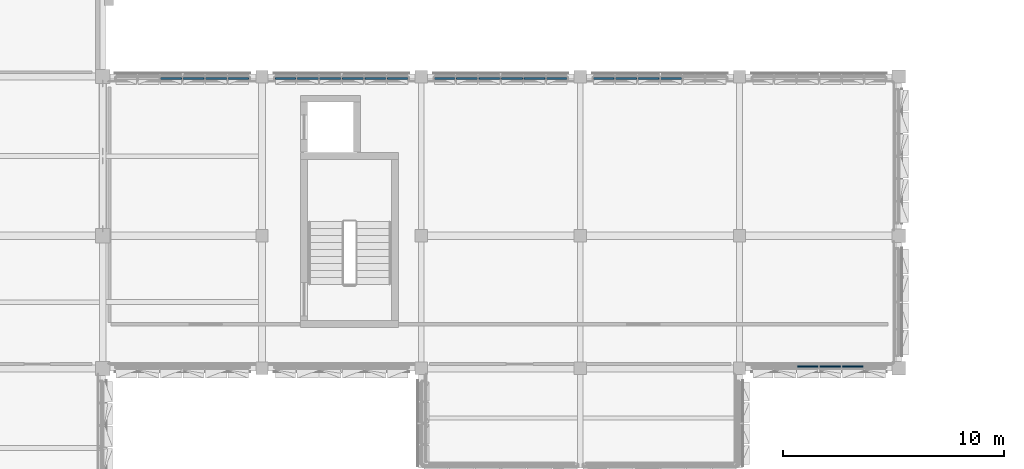
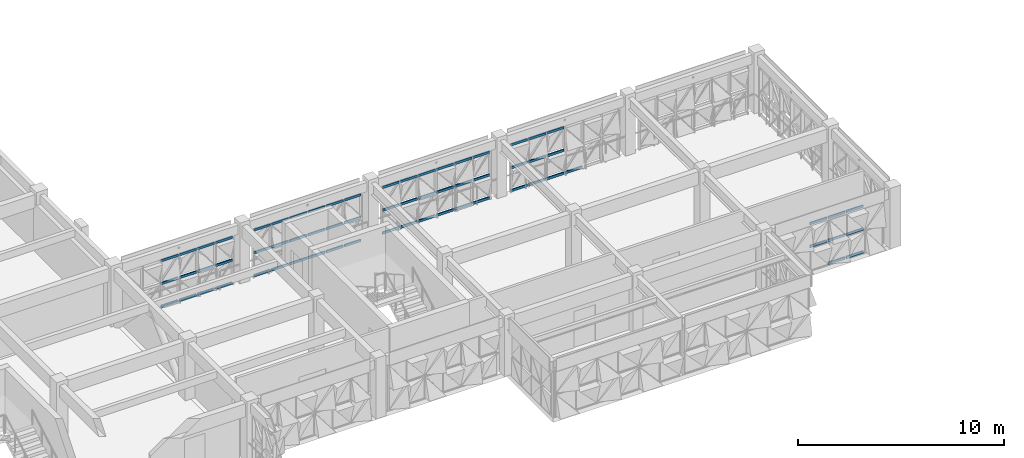
# One storey, part 26 of 85: 66 members, 5 elements without a shape of their own.
"""IFC4 building model written with IfcOpenShell, lengths in metres."""

from ifc_helpers import new_model, si_unit, direction, frame, origin, origin_2d, place, context, subcontext, project, spatial, rectangle, extrude, material, material_profile, profile_set, type_object, element, aggregate, save


model = new_model("IFC4")

# Units and contexts
model_context = context("Model", 3, precision=1e-05, world=origin(), true_north=direction((0.0, 1.0)))
body_context = subcontext(model_context, "Body", "Model", "MODEL_VIEW")
ifc_project = project(units=[si_unit("LENGTHUNIT", "METRE"), si_unit("AREAUNIT", "SQUARE_METRE"), si_unit("VOLUMEUNIT", "CUBIC_METRE"), si_unit("PLANEANGLEUNIT", "RADIAN"), si_unit("MASSUNIT", "GRAM", prefix="KILO")], contexts=[model_context])

# Site, building, storey
site_placement = place(None, origin())
site = spatial("IfcSite", under=ifc_project, at=site_placement, CompositionType="ELEMENT")
building_placement = place(site_placement, origin())
building = spatial("IfcBuilding", under=site, at=building_placement, Name="Alvorim Cloister Faculty of Sciences", CompositionType="ELEMENT")
storey_placement = place(building_placement, frame((0.0, 0.0, 8.550048828125)))
storey = spatial("IfcBuildingStorey", under=building, at=storey_placement, Name="L02", CompositionType="ELEMENT", Elevation=8.550048828125)

# Curtain wall, members
ifc_material_1 = material(Name="Aluminium and Low-E Glass Curtain Wall", Category="aluminium")
curtain_wall_type = type_object("IfcCurtainWallType", Name="CW-TRI-6120x2850", PredefinedType="USERDEFINED", material=ifc_material_1)
curtain_wall_1_placement = place(storey_placement, origin())
curtain_wall_1 = element("IfcCurtainWall", 1, at=curtain_wall_1_placement, inside=storey, type_object=curtain_wall_type, Name="L02 Diagonal Cassette Curtain Wall CW-0056", ObjectType="UNITISED CURTAIN WALL", PredefinedType="USERDEFINED")
ifc_material_2 = material(Name="Aluminium Alloy 6063-T6", Category="aluminium")
ifc_material_profile = material_profile(ifc_material_2, rectangle(XDim=0.06494140625, YDim=0.139892578125, at=origin_2d()), Name="ALU-TRN-65x140")
ifc_profile_set = profile_set([ifc_material_profile], Name="Aluminium Alloy 6063-T6")
member_type = type_object("IfcMemberType", Name="CW-TRN-65x140", PredefinedType="USERDEFINED", material=ifc_profile_set)
member_1_placement = place(storey_placement, frame((31.41259765625, 56.31005859375, 0.070068359375), z_axis=(1.0, 0.0, 0.0), x_axis=(0.0, 1.0, 0.0)))
member_1 = element("IfcMember", 2, at=member_1_placement, type_object=member_type, Name="CW-0056 Transom 3.1", ObjectType="TRANSOM", PredefinedType="USERDEFINED", context=body_context, shape_type="SweptSolid", body=[
    extrude(rectangle(XDim=0.06494140625, YDim=0.139892578125, at=origin_2d()), origin(), (0.0, 0.0, 1.0), 0.954833984375),
])
member_2_placement = place(storey_placement, frame((31.41259765625, 56.31005859375, 1.425048828125), z_axis=(1.0, 0.0, 0.0), x_axis=(0.0, 1.0, 0.0)))
member_2 = element("IfcMember", 3, at=member_2_placement, type_object=member_type, Name="CW-0056 Transom 3.2", ObjectType="TRANSOM", PredefinedType="USERDEFINED", context=body_context, shape_type="SweptSolid", body=[
    extrude(rectangle(XDim=0.06494140625, YDim=0.139892578125, at=origin_2d()), origin(), (0.0, 0.0, 1.0), 0.954833984375),
])
member_3_placement = place(storey_placement, frame((31.41259765625, 56.31005859375, 2.780029296875), z_axis=(1.0, 0.0, 0.0), x_axis=(0.0, 1.0, 0.0)))
member_3 = element("IfcMember", 4, at=member_3_placement, type_object=member_type, Name="CW-0056 Transom 3.3", ObjectType="TRANSOM", PredefinedType="USERDEFINED", context=body_context, shape_type="SweptSolid", body=[
    extrude(rectangle(XDim=0.06494140625, YDim=0.139892578125, at=origin_2d()), origin(), (0.0, 0.0, 1.0), 0.954833984375),
])
member_4_placement = place(storey_placement, frame((32.4326171875, 56.31005859375, 0.070068359375), z_axis=(1.0, 0.0, 0.0), x_axis=(0.0, 1.0, 0.0)))
member_4 = element("IfcMember", 5, at=member_4_placement, type_object=member_type, Name="CW-0056 Transom 4.1", ObjectType="TRANSOM", PredefinedType="USERDEFINED", context=body_context, shape_type="SweptSolid", body=[
    extrude(rectangle(XDim=0.06494140625, YDim=0.139892578125, at=origin_2d()), origin(), (0.0, 0.0, 1.0), 0.954833984375),
])
member_5_placement = place(storey_placement, frame((32.4326171875, 56.31005859375, 1.425048828125), z_axis=(1.0, 0.0, 0.0), x_axis=(0.0, 1.0, 0.0)))
member_5 = element("IfcMember", 6, at=member_5_placement, type_object=member_type, Name="CW-0056 Transom 4.2", ObjectType="TRANSOM", PredefinedType="USERDEFINED", context=body_context, shape_type="SweptSolid", body=[
    extrude(rectangle(XDim=0.06494140625, YDim=0.139892578125, at=origin_2d()), origin(), (0.0, 0.0, 1.0), 0.954833984375),
])
member_6_placement = place(storey_placement, frame((32.4326171875, 56.31005859375, 2.780029296875), z_axis=(1.0, 0.0, 0.0), x_axis=(0.0, 1.0, 0.0)))
member_6 = element("IfcMember", 7, at=member_6_placement, type_object=member_type, Name="CW-0056 Transom 4.3", ObjectType="TRANSOM", PredefinedType="USERDEFINED", context=body_context, shape_type="SweptSolid", body=[
    extrude(rectangle(XDim=0.06494140625, YDim=0.139892578125, at=origin_2d()), origin(), (0.0, 0.0, 1.0), 0.954833984375),
])
member_7_placement = place(storey_placement, frame((33.452392578125, 56.31005859375, 0.070068359375), z_axis=(1.0, 0.0, 0.0), x_axis=(0.0, 1.0, 0.0)))
member_7 = element("IfcMember", 8, at=member_7_placement, type_object=member_type, Name="CW-0056 Transom 5.1", ObjectType="TRANSOM", PredefinedType="USERDEFINED", context=body_context, shape_type="SweptSolid", body=[
    extrude(rectangle(XDim=0.06494140625, YDim=0.139892578125, at=origin_2d()), origin(), (0.0, 0.0, 1.0), 0.955078125),
])
member_8_placement = place(storey_placement, frame((33.452392578125, 56.31005859375, 1.425048828125), z_axis=(1.0, 0.0, 0.0), x_axis=(0.0, 1.0, 0.0)))
member_8 = element("IfcMember", 9, at=member_8_placement, type_object=member_type, Name="CW-0056 Transom 5.2", ObjectType="TRANSOM", PredefinedType="USERDEFINED", context=body_context, shape_type="SweptSolid", body=[
    extrude(rectangle(XDim=0.06494140625, YDim=0.139892578125, at=origin_2d()), origin(), (0.0, 0.0, 1.0), 0.955078125),
])
member_9_placement = place(storey_placement, frame((33.452392578125, 56.31005859375, 2.780029296875), z_axis=(1.0, 0.0, 0.0), x_axis=(0.0, 1.0, 0.0)))
member_9 = element("IfcMember", 10, at=member_9_placement, type_object=member_type, Name="CW-0056 Transom 5.3", ObjectType="TRANSOM", PredefinedType="USERDEFINED", context=body_context, shape_type="SweptSolid", body=[
    extrude(rectangle(XDim=0.06494140625, YDim=0.139892578125, at=origin_2d()), origin(), (0.0, 0.0, 1.0), 0.955078125),
])
member_10_placement = place(storey_placement, frame((34.472412109375, 56.31005859375, 0.070068359375), z_axis=(1.0, 0.0, 0.0), x_axis=(0.0, 1.0, 0.0)))
member_10 = element("IfcMember", 11, at=member_10_placement, type_object=member_type, Name="CW-0056 Transom 6.1", ObjectType="TRANSOM", PredefinedType="USERDEFINED", context=body_context, shape_type="SweptSolid", body=[
    extrude(rectangle(XDim=0.06494140625, YDim=0.139892578125, at=origin_2d()), origin(), (0.0, 0.0, 1.0), 0.922607421875),
])
member_11_placement = place(storey_placement, frame((34.472412109375, 56.31005859375, 1.425048828125), z_axis=(1.0, 0.0, 0.0), x_axis=(0.0, 1.0, 0.0)))
member_11 = element("IfcMember", 12, at=member_11_placement, type_object=member_type, Name="CW-0056 Transom 6.2", ObjectType="TRANSOM", PredefinedType="USERDEFINED", context=body_context, shape_type="SweptSolid", body=[
    extrude(rectangle(XDim=0.06494140625, YDim=0.139892578125, at=origin_2d()), origin(), (0.0, 0.0, 1.0), 0.922607421875),
])
member_12_placement = place(storey_placement, frame((34.472412109375, 56.31005859375, 2.780029296875), z_axis=(1.0, 0.0, 0.0), x_axis=(0.0, 1.0, 0.0)))
member_12 = element("IfcMember", 13, at=member_12_placement, type_object=member_type, Name="CW-0056 Transom 6.3", ObjectType="TRANSOM", PredefinedType="USERDEFINED", context=body_context, shape_type="SweptSolid", body=[
    extrude(rectangle(XDim=0.06494140625, YDim=0.139892578125, at=origin_2d()), origin(), (0.0, 0.0, 1.0), 0.922607421875),
])
aggregate(curtain_wall_1, [member_1, member_2, member_3, member_4, member_5, member_6, member_7, member_8, member_9, member_10, member_11, member_12])

curtain_wall_2_placement = place(storey_placement, origin())
curtain_wall_2 = element("IfcCurtainWall", 14, at=curtain_wall_2_placement, inside=storey, type_object=curtain_wall_type, Name="L02 Diagonal Cassette Curtain Wall CW-0057", ObjectType="UNITISED CURTAIN WALL", PredefinedType="USERDEFINED")
member_13_placement = place(storey_placement, frame((36.60498046875, 56.31005859375, 0.070068359375), z_axis=(1.0, 0.0, 0.0), x_axis=(0.0, 1.0, 0.0)))
member_13 = element("IfcMember", 15, at=member_13_placement, type_object=member_type, Name="CW-0057 Transom 1.1", ObjectType="TRANSOM", PredefinedType="USERDEFINED", context=body_context, shape_type="SweptSolid", body=[
    extrude(rectangle(XDim=0.06494140625, YDim=0.139892578125, at=origin_2d()), origin(), (0.0, 0.0, 1.0), 0.922607421875),
])
member_14_placement = place(storey_placement, frame((36.60498046875, 56.31005859375, 1.425048828125), z_axis=(1.0, 0.0, 0.0), x_axis=(0.0, 1.0, 0.0)))
member_14 = element("IfcMember", 16, at=member_14_placement, type_object=member_type, Name="CW-0057 Transom 1.2", ObjectType="TRANSOM", PredefinedType="USERDEFINED", context=body_context, shape_type="SweptSolid", body=[
    extrude(rectangle(XDim=0.06494140625, YDim=0.139892578125, at=origin_2d()), origin(), (0.0, 0.0, 1.0), 0.922607421875),
])
member_15_placement = place(storey_placement, frame((36.60498046875, 56.31005859375, 2.780029296875), z_axis=(1.0, 0.0, 0.0), x_axis=(0.0, 1.0, 0.0)))
member_15 = element("IfcMember", 17, at=member_15_placement, type_object=member_type, Name="CW-0057 Transom 1.3", ObjectType="TRANSOM", PredefinedType="USERDEFINED", context=body_context, shape_type="SweptSolid", body=[
    extrude(rectangle(XDim=0.06494140625, YDim=0.139892578125, at=origin_2d()), origin(), (0.0, 0.0, 1.0), 0.922607421875),
])
member_16_placement = place(storey_placement, frame((37.592529296875, 56.31005859375, 0.070068359375), z_axis=(1.0, 0.0, 0.0), x_axis=(0.0, 1.0, 0.0)))
member_16 = element("IfcMember", 18, at=member_16_placement, type_object=member_type, Name="CW-0057 Transom 2.1", ObjectType="TRANSOM", PredefinedType="USERDEFINED", context=body_context, shape_type="SweptSolid", body=[
    extrude(rectangle(XDim=0.06494140625, YDim=0.139892578125, at=origin_2d()), origin(), (0.0, 0.0, 1.0), 0.955078125),
])
member_17_placement = place(storey_placement, frame((37.592529296875, 56.31005859375, 1.425048828125), z_axis=(1.0, 0.0, 0.0), x_axis=(0.0, 1.0, 0.0)))
member_17 = element("IfcMember", 19, at=member_17_placement, type_object=member_type, Name="CW-0057 Transom 2.2", ObjectType="TRANSOM", PredefinedType="USERDEFINED", context=body_context, shape_type="SweptSolid", body=[
    extrude(rectangle(XDim=0.06494140625, YDim=0.139892578125, at=origin_2d()), origin(), (0.0, 0.0, 1.0), 0.955078125),
])
member_18_placement = place(storey_placement, frame((37.592529296875, 56.31005859375, 2.780029296875), z_axis=(1.0, 0.0, 0.0), x_axis=(0.0, 1.0, 0.0)))
member_18 = element("IfcMember", 20, at=member_18_placement, type_object=member_type, Name="CW-0057 Transom 2.3", ObjectType="TRANSOM", PredefinedType="USERDEFINED", context=body_context, shape_type="SweptSolid", body=[
    extrude(rectangle(XDim=0.06494140625, YDim=0.139892578125, at=origin_2d()), origin(), (0.0, 0.0, 1.0), 0.955078125),
])
member_19_placement = place(storey_placement, frame((38.612548828125, 56.31005859375, 0.070068359375), z_axis=(1.0, 0.0, 0.0), x_axis=(0.0, 1.0, 0.0)))
member_19 = element("IfcMember", 21, at=member_19_placement, type_object=member_type, Name="CW-0057 Transom 3.1", ObjectType="TRANSOM", PredefinedType="USERDEFINED", context=body_context, shape_type="SweptSolid", body=[
    extrude(rectangle(XDim=0.06494140625, YDim=0.139892578125, at=origin_2d()), origin(), (0.0, 0.0, 1.0), 0.954833984375),
])
member_20_placement = place(storey_placement, frame((38.612548828125, 56.31005859375, 1.425048828125), z_axis=(1.0, 0.0, 0.0), x_axis=(0.0, 1.0, 0.0)))
member_20 = element("IfcMember", 22, at=member_20_placement, type_object=member_type, Name="CW-0057 Transom 3.2", ObjectType="TRANSOM", PredefinedType="USERDEFINED", context=body_context, shape_type="SweptSolid", body=[
    extrude(rectangle(XDim=0.06494140625, YDim=0.139892578125, at=origin_2d()), origin(), (0.0, 0.0, 1.0), 0.954833984375),
])
member_21_placement = place(storey_placement, frame((38.612548828125, 56.31005859375, 2.780029296875), z_axis=(1.0, 0.0, 0.0), x_axis=(0.0, 1.0, 0.0)))
member_21 = element("IfcMember", 23, at=member_21_placement, type_object=member_type, Name="CW-0057 Transom 3.3", ObjectType="TRANSOM", PredefinedType="USERDEFINED", context=body_context, shape_type="SweptSolid", body=[
    extrude(rectangle(XDim=0.06494140625, YDim=0.139892578125, at=origin_2d()), origin(), (0.0, 0.0, 1.0), 0.954833984375),
])
member_22_placement = place(storey_placement, frame((39.632568359375, 56.31005859375, 0.070068359375), z_axis=(1.0, 0.0, 0.0), x_axis=(0.0, 1.0, 0.0)))
member_22 = element("IfcMember", 24, at=member_22_placement, type_object=member_type, Name="CW-0057 Transom 4.1", ObjectType="TRANSOM", PredefinedType="USERDEFINED", context=body_context, shape_type="SweptSolid", body=[
    extrude(rectangle(XDim=0.06494140625, YDim=0.139892578125, at=origin_2d()), origin(), (0.0, 0.0, 1.0), 0.954833984375),
])
member_23_placement = place(storey_placement, frame((39.632568359375, 56.31005859375, 1.425048828125), z_axis=(1.0, 0.0, 0.0), x_axis=(0.0, 1.0, 0.0)))
member_23 = element("IfcMember", 25, at=member_23_placement, type_object=member_type, Name="CW-0057 Transom 4.2", ObjectType="TRANSOM", PredefinedType="USERDEFINED", context=body_context, shape_type="SweptSolid", body=[
    extrude(rectangle(XDim=0.06494140625, YDim=0.139892578125, at=origin_2d()), origin(), (0.0, 0.0, 1.0), 0.954833984375),
])
member_24_placement = place(storey_placement, frame((39.632568359375, 56.31005859375, 2.780029296875), z_axis=(1.0, 0.0, 0.0), x_axis=(0.0, 1.0, 0.0)))
member_24 = element("IfcMember", 26, at=member_24_placement, type_object=member_type, Name="CW-0057 Transom 4.3", ObjectType="TRANSOM", PredefinedType="USERDEFINED", context=body_context, shape_type="SweptSolid", body=[
    extrude(rectangle(XDim=0.06494140625, YDim=0.139892578125, at=origin_2d()), origin(), (0.0, 0.0, 1.0), 0.954833984375),
])
member_25_placement = place(storey_placement, frame((40.652587890625, 56.31005859375, 0.070068359375), z_axis=(1.0, 0.0, 0.0), x_axis=(0.0, 1.0, 0.0)))
member_25 = element("IfcMember", 27, at=member_25_placement, type_object=member_type, Name="CW-0057 Transom 5.1", ObjectType="TRANSOM", PredefinedType="USERDEFINED", context=body_context, shape_type="SweptSolid", body=[
    extrude(rectangle(XDim=0.06494140625, YDim=0.139892578125, at=origin_2d()), origin(), (0.0, 0.0, 1.0), 0.954833984375),
])
member_26_placement = place(storey_placement, frame((40.652587890625, 56.31005859375, 1.425048828125), z_axis=(1.0, 0.0, 0.0), x_axis=(0.0, 1.0, 0.0)))
member_26 = element("IfcMember", 28, at=member_26_placement, type_object=member_type, Name="CW-0057 Transom 5.2", ObjectType="TRANSOM", PredefinedType="USERDEFINED", context=body_context, shape_type="SweptSolid", body=[
    extrude(rectangle(XDim=0.06494140625, YDim=0.139892578125, at=origin_2d()), origin(), (0.0, 0.0, 1.0), 0.954833984375),
])
member_27_placement = place(storey_placement, frame((40.652587890625, 56.31005859375, 2.780029296875), z_axis=(1.0, 0.0, 0.0), x_axis=(0.0, 1.0, 0.0)))
member_27 = element("IfcMember", 29, at=member_27_placement, type_object=member_type, Name="CW-0057 Transom 5.3", ObjectType="TRANSOM", PredefinedType="USERDEFINED", context=body_context, shape_type="SweptSolid", body=[
    extrude(rectangle(XDim=0.06494140625, YDim=0.139892578125, at=origin_2d()), origin(), (0.0, 0.0, 1.0), 0.954833984375),
])
member_28_placement = place(storey_placement, frame((41.672607421875, 56.31005859375, 0.070068359375), z_axis=(1.0, 0.0, 0.0), x_axis=(0.0, 1.0, 0.0)))
member_28 = element("IfcMember", 30, at=member_28_placement, type_object=member_type, Name="CW-0057 Transom 6.1", ObjectType="TRANSOM", PredefinedType="USERDEFINED", context=body_context, shape_type="SweptSolid", body=[
    extrude(rectangle(XDim=0.06494140625, YDim=0.139892578125, at=origin_2d()), origin(), (0.0, 0.0, 1.0), 0.92236328125),
])
member_29_placement = place(storey_placement, frame((41.672607421875, 56.31005859375, 1.425048828125), z_axis=(1.0, 0.0, 0.0), x_axis=(0.0, 1.0, 0.0)))
member_29 = element("IfcMember", 31, at=member_29_placement, type_object=member_type, Name="CW-0057 Transom 6.2", ObjectType="TRANSOM", PredefinedType="USERDEFINED", context=body_context, shape_type="SweptSolid", body=[
    extrude(rectangle(XDim=0.06494140625, YDim=0.139892578125, at=origin_2d()), origin(), (0.0, 0.0, 1.0), 0.92236328125),
])
member_30_placement = place(storey_placement, frame((41.672607421875, 56.31005859375, 2.780029296875), z_axis=(1.0, 0.0, 0.0), x_axis=(0.0, 1.0, 0.0)))
member_30 = element("IfcMember", 32, at=member_30_placement, type_object=member_type, Name="CW-0057 Transom 6.3", ObjectType="TRANSOM", PredefinedType="USERDEFINED", context=body_context, shape_type="SweptSolid", body=[
    extrude(rectangle(XDim=0.06494140625, YDim=0.139892578125, at=origin_2d()), origin(), (0.0, 0.0, 1.0), 0.92236328125),
])
aggregate(curtain_wall_2, [member_13, member_14, member_15, member_16, member_17, member_18, member_19, member_20, member_21, member_22, member_23, member_24, member_25, member_26, member_27, member_28, member_29, member_30])

curtain_wall_3_placement = place(storey_placement, origin())
curtain_wall_3 = element("IfcCurtainWall", 33, at=curtain_wall_3_placement, inside=storey, type_object=curtain_wall_type, Name="L02 Diagonal Cassette Curtain Wall CW-0058", ObjectType="UNITISED CURTAIN WALL", PredefinedType="USERDEFINED")
member_31_placement = place(storey_placement, frame((43.804931640625, 56.31005859375, 0.070068359375), z_axis=(1.0, 0.0, 0.0), x_axis=(0.0, 1.0, 0.0)))
member_31 = element("IfcMember", 34, at=member_31_placement, type_object=member_type, Name="CW-0058 Transom 1.1", ObjectType="TRANSOM", PredefinedType="USERDEFINED", context=body_context, shape_type="SweptSolid", body=[
    extrude(rectangle(XDim=0.06494140625, YDim=0.139892578125, at=origin_2d()), origin(), (0.0, 0.0, 1.0), 0.922607421875),
])
member_32_placement = place(storey_placement, frame((43.804931640625, 56.31005859375, 1.425048828125), z_axis=(1.0, 0.0, 0.0), x_axis=(0.0, 1.0, 0.0)))
member_32 = element("IfcMember", 35, at=member_32_placement, type_object=member_type, Name="CW-0058 Transom 1.2", ObjectType="TRANSOM", PredefinedType="USERDEFINED", context=body_context, shape_type="SweptSolid", body=[
    extrude(rectangle(XDim=0.06494140625, YDim=0.139892578125, at=origin_2d()), origin(), (0.0, 0.0, 1.0), 0.922607421875),
])
member_33_placement = place(storey_placement, frame((43.804931640625, 56.31005859375, 2.780029296875), z_axis=(1.0, 0.0, 0.0), x_axis=(0.0, 1.0, 0.0)))
member_33 = element("IfcMember", 36, at=member_33_placement, type_object=member_type, Name="CW-0058 Transom 1.3", ObjectType="TRANSOM", PredefinedType="USERDEFINED", context=body_context, shape_type="SweptSolid", body=[
    extrude(rectangle(XDim=0.06494140625, YDim=0.139892578125, at=origin_2d()), origin(), (0.0, 0.0, 1.0), 0.922607421875),
])
member_34_placement = place(storey_placement, frame((44.79248046875, 56.31005859375, 0.070068359375), z_axis=(1.0, 0.0, 0.0), x_axis=(0.0, 1.0, 0.0)))
member_34 = element("IfcMember", 37, at=member_34_placement, type_object=member_type, Name="CW-0058 Transom 2.1", ObjectType="TRANSOM", PredefinedType="USERDEFINED", context=body_context, shape_type="SweptSolid", body=[
    extrude(rectangle(XDim=0.06494140625, YDim=0.139892578125, at=origin_2d()), origin(), (0.0, 0.0, 1.0), 0.955078125),
])
member_35_placement = place(storey_placement, frame((44.79248046875, 56.31005859375, 1.425048828125), z_axis=(1.0, 0.0, 0.0), x_axis=(0.0, 1.0, 0.0)))
member_35 = element("IfcMember", 38, at=member_35_placement, type_object=member_type, Name="CW-0058 Transom 2.2", ObjectType="TRANSOM", PredefinedType="USERDEFINED", context=body_context, shape_type="SweptSolid", body=[
    extrude(rectangle(XDim=0.06494140625, YDim=0.139892578125, at=origin_2d()), origin(), (0.0, 0.0, 1.0), 0.955078125),
])
member_36_placement = place(storey_placement, frame((44.79248046875, 56.31005859375, 2.780029296875), z_axis=(1.0, 0.0, 0.0), x_axis=(0.0, 1.0, 0.0)))
member_36 = element("IfcMember", 39, at=member_36_placement, type_object=member_type, Name="CW-0058 Transom 2.3", ObjectType="TRANSOM", PredefinedType="USERDEFINED", context=body_context, shape_type="SweptSolid", body=[
    extrude(rectangle(XDim=0.06494140625, YDim=0.139892578125, at=origin_2d()), origin(), (0.0, 0.0, 1.0), 0.955078125),
])
member_37_placement = place(storey_placement, frame((45.8125, 56.31005859375, 0.070068359375), z_axis=(1.0, 0.0, 0.0), x_axis=(0.0, 1.0, 0.0)))
member_37 = element("IfcMember", 40, at=member_37_placement, type_object=member_type, Name="CW-0058 Transom 3.1", ObjectType="TRANSOM", PredefinedType="USERDEFINED", context=body_context, shape_type="SweptSolid", body=[
    extrude(rectangle(XDim=0.06494140625, YDim=0.139892578125, at=origin_2d()), origin(), (0.0, 0.0, 1.0), 0.955078125),
])
member_38_placement = place(storey_placement, frame((45.8125, 56.31005859375, 1.425048828125), z_axis=(1.0, 0.0, 0.0), x_axis=(0.0, 1.0, 0.0)))
member_38 = element("IfcMember", 41, at=member_38_placement, type_object=member_type, Name="CW-0058 Transom 3.2", ObjectType="TRANSOM", PredefinedType="USERDEFINED", context=body_context, shape_type="SweptSolid", body=[
    extrude(rectangle(XDim=0.06494140625, YDim=0.139892578125, at=origin_2d()), origin(), (0.0, 0.0, 1.0), 0.955078125),
])
member_39_placement = place(storey_placement, frame((45.8125, 56.31005859375, 2.780029296875), z_axis=(1.0, 0.0, 0.0), x_axis=(0.0, 1.0, 0.0)))
member_39 = element("IfcMember", 42, at=member_39_placement, type_object=member_type, Name="CW-0058 Transom 3.3", ObjectType="TRANSOM", PredefinedType="USERDEFINED", context=body_context, shape_type="SweptSolid", body=[
    extrude(rectangle(XDim=0.06494140625, YDim=0.139892578125, at=origin_2d()), origin(), (0.0, 0.0, 1.0), 0.955078125),
])
member_40_placement = place(storey_placement, frame((46.83251953125, 56.31005859375, 0.070068359375), z_axis=(1.0, 0.0, 0.0), x_axis=(0.0, 1.0, 0.0)))
member_40 = element("IfcMember", 43, at=member_40_placement, type_object=member_type, Name="CW-0058 Transom 4.1", ObjectType="TRANSOM", PredefinedType="USERDEFINED", context=body_context, shape_type="SweptSolid", body=[
    extrude(rectangle(XDim=0.06494140625, YDim=0.139892578125, at=origin_2d()), origin(), (0.0, 0.0, 1.0), 0.955078125),
])
member_41_placement = place(storey_placement, frame((46.83251953125, 56.31005859375, 1.425048828125), z_axis=(1.0, 0.0, 0.0), x_axis=(0.0, 1.0, 0.0)))
member_41 = element("IfcMember", 44, at=member_41_placement, type_object=member_type, Name="CW-0058 Transom 4.2", ObjectType="TRANSOM", PredefinedType="USERDEFINED", context=body_context, shape_type="SweptSolid", body=[
    extrude(rectangle(XDim=0.06494140625, YDim=0.139892578125, at=origin_2d()), origin(), (0.0, 0.0, 1.0), 0.955078125),
])
member_42_placement = place(storey_placement, frame((46.83251953125, 56.31005859375, 2.780029296875), z_axis=(1.0, 0.0, 0.0), x_axis=(0.0, 1.0, 0.0)))
member_42 = element("IfcMember", 45, at=member_42_placement, type_object=member_type, Name="CW-0058 Transom 4.3", ObjectType="TRANSOM", PredefinedType="USERDEFINED", context=body_context, shape_type="SweptSolid", body=[
    extrude(rectangle(XDim=0.06494140625, YDim=0.139892578125, at=origin_2d()), origin(), (0.0, 0.0, 1.0), 0.955078125),
])
member_43_placement = place(storey_placement, frame((47.8525390625, 56.31005859375, 0.070068359375), z_axis=(1.0, 0.0, 0.0), x_axis=(0.0, 1.0, 0.0)))
member_43 = element("IfcMember", 46, at=member_43_placement, type_object=member_type, Name="CW-0058 Transom 5.1", ObjectType="TRANSOM", PredefinedType="USERDEFINED", context=body_context, shape_type="SweptSolid", body=[
    extrude(rectangle(XDim=0.06494140625, YDim=0.139892578125, at=origin_2d()), origin(), (0.0, 0.0, 1.0), 0.955078125),
])
member_44_placement = place(storey_placement, frame((47.8525390625, 56.31005859375, 1.425048828125), z_axis=(1.0, 0.0, 0.0), x_axis=(0.0, 1.0, 0.0)))
member_44 = element("IfcMember", 47, at=member_44_placement, type_object=member_type, Name="CW-0058 Transom 5.2", ObjectType="TRANSOM", PredefinedType="USERDEFINED", context=body_context, shape_type="SweptSolid", body=[
    extrude(rectangle(XDim=0.06494140625, YDim=0.139892578125, at=origin_2d()), origin(), (0.0, 0.0, 1.0), 0.955078125),
])
member_45_placement = place(storey_placement, frame((47.8525390625, 56.31005859375, 2.780029296875), z_axis=(1.0, 0.0, 0.0), x_axis=(0.0, 1.0, 0.0)))
member_45 = element("IfcMember", 48, at=member_45_placement, type_object=member_type, Name="CW-0058 Transom 5.3", ObjectType="TRANSOM", PredefinedType="USERDEFINED", context=body_context, shape_type="SweptSolid", body=[
    extrude(rectangle(XDim=0.06494140625, YDim=0.139892578125, at=origin_2d()), origin(), (0.0, 0.0, 1.0), 0.955078125),
])
member_46_placement = place(storey_placement, frame((48.87255859375, 56.31005859375, 0.070068359375), z_axis=(1.0, 0.0, 0.0), x_axis=(0.0, 1.0, 0.0)))
member_46 = element("IfcMember", 49, at=member_46_placement, type_object=member_type, Name="CW-0058 Transom 6.1", ObjectType="TRANSOM", PredefinedType="USERDEFINED", context=body_context, shape_type="SweptSolid", body=[
    extrude(rectangle(XDim=0.06494140625, YDim=0.139892578125, at=origin_2d()), origin(), (0.0, 0.0, 1.0), 0.92236328125),
])
member_47_placement = place(storey_placement, frame((48.87255859375, 56.31005859375, 1.425048828125), z_axis=(1.0, 0.0, 0.0), x_axis=(0.0, 1.0, 0.0)))
member_47 = element("IfcMember", 50, at=member_47_placement, type_object=member_type, Name="CW-0058 Transom 6.2", ObjectType="TRANSOM", PredefinedType="USERDEFINED", context=body_context, shape_type="SweptSolid", body=[
    extrude(rectangle(XDim=0.06494140625, YDim=0.139892578125, at=origin_2d()), origin(), (0.0, 0.0, 1.0), 0.92236328125),
])
member_48_placement = place(storey_placement, frame((48.87255859375, 56.31005859375, 2.780029296875), z_axis=(1.0, 0.0, 0.0), x_axis=(0.0, 1.0, 0.0)))
member_48 = element("IfcMember", 51, at=member_48_placement, type_object=member_type, Name="CW-0058 Transom 6.3", ObjectType="TRANSOM", PredefinedType="USERDEFINED", context=body_context, shape_type="SweptSolid", body=[
    extrude(rectangle(XDim=0.06494140625, YDim=0.139892578125, at=origin_2d()), origin(), (0.0, 0.0, 1.0), 0.92236328125),
])
aggregate(curtain_wall_3, [member_31, member_32, member_33, member_34, member_35, member_36, member_37, member_38, member_39, member_40, member_41, member_42, member_43, member_44, member_45, member_46, member_47, member_48])

curtain_wall_4_placement = place(storey_placement, origin())
curtain_wall_4 = element("IfcCurtainWall", 52, at=curtain_wall_4_placement, inside=storey, type_object=curtain_wall_type, Name="L02 Diagonal Cassette Curtain Wall CW-0059", ObjectType="UNITISED CURTAIN WALL", PredefinedType="USERDEFINED")
member_49_placement = place(storey_placement, frame((51.0048828125, 56.31005859375, 0.070068359375), z_axis=(1.0, 0.0, 0.0), x_axis=(0.0, 1.0, 0.0)))
member_49 = element("IfcMember", 53, at=member_49_placement, type_object=member_type, Name="CW-0059 Transom 1.1", ObjectType="TRANSOM", PredefinedType="USERDEFINED", context=body_context, shape_type="SweptSolid", body=[
    extrude(rectangle(XDim=0.06494140625, YDim=0.139892578125, at=origin_2d()), origin(), (0.0, 0.0, 1.0), 0.922607421875),
])
member_50_placement = place(storey_placement, frame((51.0048828125, 56.31005859375, 1.425048828125), z_axis=(1.0, 0.0, 0.0), x_axis=(0.0, 1.0, 0.0)))
member_50 = element("IfcMember", 54, at=member_50_placement, type_object=member_type, Name="CW-0059 Transom 1.2", ObjectType="TRANSOM", PredefinedType="USERDEFINED", context=body_context, shape_type="SweptSolid", body=[
    extrude(rectangle(XDim=0.06494140625, YDim=0.139892578125, at=origin_2d()), origin(), (0.0, 0.0, 1.0), 0.922607421875),
])
member_51_placement = place(storey_placement, frame((51.0048828125, 56.31005859375, 2.780029296875), z_axis=(1.0, 0.0, 0.0), x_axis=(0.0, 1.0, 0.0)))
member_51 = element("IfcMember", 55, at=member_51_placement, type_object=member_type, Name="CW-0059 Transom 1.3", ObjectType="TRANSOM", PredefinedType="USERDEFINED", context=body_context, shape_type="SweptSolid", body=[
    extrude(rectangle(XDim=0.06494140625, YDim=0.139892578125, at=origin_2d()), origin(), (0.0, 0.0, 1.0), 0.922607421875),
])
member_52_placement = place(storey_placement, frame((51.992431640625, 56.31005859375, 0.070068359375), z_axis=(1.0, 0.0, 0.0), x_axis=(0.0, 1.0, 0.0)))
member_52 = element("IfcMember", 56, at=member_52_placement, type_object=member_type, Name="CW-0059 Transom 2.1", ObjectType="TRANSOM", PredefinedType="USERDEFINED", context=body_context, shape_type="SweptSolid", body=[
    extrude(rectangle(XDim=0.06494140625, YDim=0.139892578125, at=origin_2d()), origin(), (0.0, 0.0, 1.0), 0.955078125),
])
member_53_placement = place(storey_placement, frame((51.992431640625, 56.31005859375, 1.425048828125), z_axis=(1.0, 0.0, 0.0), x_axis=(0.0, 1.0, 0.0)))
member_53 = element("IfcMember", 57, at=member_53_placement, type_object=member_type, Name="CW-0059 Transom 2.2", ObjectType="TRANSOM", PredefinedType="USERDEFINED", context=body_context, shape_type="SweptSolid", body=[
    extrude(rectangle(XDim=0.06494140625, YDim=0.139892578125, at=origin_2d()), origin(), (0.0, 0.0, 1.0), 0.955078125),
])
member_54_placement = place(storey_placement, frame((51.992431640625, 56.31005859375, 2.780029296875), z_axis=(1.0, 0.0, 0.0), x_axis=(0.0, 1.0, 0.0)))
member_54 = element("IfcMember", 58, at=member_54_placement, type_object=member_type, Name="CW-0059 Transom 2.3", ObjectType="TRANSOM", PredefinedType="USERDEFINED", context=body_context, shape_type="SweptSolid", body=[
    extrude(rectangle(XDim=0.06494140625, YDim=0.139892578125, at=origin_2d()), origin(), (0.0, 0.0, 1.0), 0.955078125),
])
member_55_placement = place(storey_placement, frame((53.012451171875, 56.31005859375, 0.070068359375), z_axis=(1.0, 0.0, 0.0), x_axis=(0.0, 1.0, 0.0)))
member_55 = element("IfcMember", 59, at=member_55_placement, type_object=member_type, Name="CW-0059 Transom 3.1", ObjectType="TRANSOM", PredefinedType="USERDEFINED", context=body_context, shape_type="SweptSolid", body=[
    extrude(rectangle(XDim=0.06494140625, YDim=0.139892578125, at=origin_2d()), origin(), (0.0, 0.0, 1.0), 0.955078125),
])
member_56_placement = place(storey_placement, frame((53.012451171875, 56.31005859375, 1.425048828125), z_axis=(1.0, 0.0, 0.0), x_axis=(0.0, 1.0, 0.0)))
member_56 = element("IfcMember", 60, at=member_56_placement, type_object=member_type, Name="CW-0059 Transom 3.2", ObjectType="TRANSOM", PredefinedType="USERDEFINED", context=body_context, shape_type="SweptSolid", body=[
    extrude(rectangle(XDim=0.06494140625, YDim=0.139892578125, at=origin_2d()), origin(), (0.0, 0.0, 1.0), 0.955078125),
])
member_57_placement = place(storey_placement, frame((53.012451171875, 56.31005859375, 2.780029296875), z_axis=(1.0, 0.0, 0.0), x_axis=(0.0, 1.0, 0.0)))
member_57 = element("IfcMember", 61, at=member_57_placement, type_object=member_type, Name="CW-0059 Transom 3.3", ObjectType="TRANSOM", PredefinedType="USERDEFINED", context=body_context, shape_type="SweptSolid", body=[
    extrude(rectangle(XDim=0.06494140625, YDim=0.139892578125, at=origin_2d()), origin(), (0.0, 0.0, 1.0), 0.955078125),
])
member_58_placement = place(storey_placement, frame((54.032470703125, 56.31005859375, 0.070068359375), z_axis=(1.0, 0.0, 0.0), x_axis=(0.0, 1.0, 0.0)))
member_58 = element("IfcMember", 62, at=member_58_placement, type_object=member_type, Name="CW-0059 Transom 4.1", ObjectType="TRANSOM", PredefinedType="USERDEFINED", context=body_context, shape_type="SweptSolid", body=[
    extrude(rectangle(XDim=0.06494140625, YDim=0.139892578125, at=origin_2d()), origin(), (0.0, 0.0, 1.0), 0.955078125),
])
aggregate(curtain_wall_4, [member_49, member_50, member_51, member_52, member_53, member_54, member_55, member_56, member_57, member_58])

curtain_wall_5_placement = place(storey_placement, origin())
curtain_wall_5 = element("IfcCurtainWall", 63, at=curtain_wall_5_placement, inside=storey, type_object=curtain_wall_type, Name="L02 Diagonal Cassette Curtain Wall CW-0063", ObjectType="UNITISED CURTAIN WALL", PredefinedType="USERDEFINED")
member_59_placement = place(storey_placement, frame((60.21240234375, 43.2900390625, 1.425048828125), z_axis=(1.0, 0.0, 0.0), x_axis=(0.0, 1.0, 0.0)))
member_59 = element("IfcMember", 64, at=member_59_placement, type_object=member_type, Name="CW-0063 Transom 3.2", ObjectType="TRANSOM", PredefinedType="USERDEFINED", context=body_context, shape_type="SweptSolid", body=[
    extrude(rectangle(XDim=0.06494140625, YDim=0.139892578125, at=origin_2d()), origin(), (0.0, 0.0, 1.0), 0.955078125),
])
member_60_placement = place(storey_placement, frame((60.21240234375, 43.2900390625, 2.780029296875), z_axis=(1.0, 0.0, 0.0), x_axis=(0.0, 1.0, 0.0)))
member_60 = element("IfcMember", 65, at=member_60_placement, type_object=member_type, Name="CW-0063 Transom 3.3", ObjectType="TRANSOM", PredefinedType="USERDEFINED", context=body_context, shape_type="SweptSolid", body=[
    extrude(rectangle(XDim=0.06494140625, YDim=0.139892578125, at=origin_2d()), origin(), (0.0, 0.0, 1.0), 0.955078125),
])
member_61_placement = place(storey_placement, frame((61.232421875, 43.2900390625, 0.070068359375), z_axis=(1.0, 0.0, 0.0), x_axis=(0.0, 1.0, 0.0)))
member_61 = element("IfcMember", 66, at=member_61_placement, type_object=member_type, Name="CW-0063 Transom 4.1", ObjectType="TRANSOM", PredefinedType="USERDEFINED", context=body_context, shape_type="SweptSolid", body=[
    extrude(rectangle(XDim=0.06494140625, YDim=0.139892578125, at=origin_2d()), origin(), (0.0, 0.0, 1.0), 0.955078125),
])
member_62_placement = place(storey_placement, frame((61.232421875, 43.2900390625, 1.425048828125), z_axis=(1.0, 0.0, 0.0), x_axis=(0.0, 1.0, 0.0)))
member_62 = element("IfcMember", 67, at=member_62_placement, type_object=member_type, Name="CW-0063 Transom 4.2", ObjectType="TRANSOM", PredefinedType="USERDEFINED", context=body_context, shape_type="SweptSolid", body=[
    extrude(rectangle(XDim=0.06494140625, YDim=0.139892578125, at=origin_2d()), origin(), (0.0, 0.0, 1.0), 0.955078125),
])
member_63_placement = place(storey_placement, frame((61.232421875, 43.2900390625, 2.780029296875), z_axis=(1.0, 0.0, 0.0), x_axis=(0.0, 1.0, 0.0)))
member_63 = element("IfcMember", 68, at=member_63_placement, type_object=member_type, Name="CW-0063 Transom 4.3", ObjectType="TRANSOM", PredefinedType="USERDEFINED", context=body_context, shape_type="SweptSolid", body=[
    extrude(rectangle(XDim=0.06494140625, YDim=0.139892578125, at=origin_2d()), origin(), (0.0, 0.0, 1.0), 0.955078125),
])
member_64_placement = place(storey_placement, frame((62.25244140625, 43.2900390625, 0.070068359375), z_axis=(1.0, 0.0, 0.0), x_axis=(0.0, 1.0, 0.0)))
member_64 = element("IfcMember", 69, at=member_64_placement, type_object=member_type, Name="CW-0063 Transom 5.1", ObjectType="TRANSOM", PredefinedType="USERDEFINED", context=body_context, shape_type="SweptSolid", body=[
    extrude(rectangle(XDim=0.06494140625, YDim=0.139892578125, at=origin_2d()), origin(), (0.0, 0.0, 1.0), 0.955078125),
])
member_65_placement = place(storey_placement, frame((62.25244140625, 43.2900390625, 1.425048828125), z_axis=(1.0, 0.0, 0.0), x_axis=(0.0, 1.0, 0.0)))
member_65 = element("IfcMember", 70, at=member_65_placement, type_object=member_type, Name="CW-0063 Transom 5.2", ObjectType="TRANSOM", PredefinedType="USERDEFINED", context=body_context, shape_type="SweptSolid", body=[
    extrude(rectangle(XDim=0.06494140625, YDim=0.139892578125, at=origin_2d()), origin(), (0.0, 0.0, 1.0), 0.955078125),
])
member_66_placement = place(storey_placement, frame((62.25244140625, 43.2900390625, 2.780029296875), z_axis=(1.0, 0.0, 0.0), x_axis=(0.0, 1.0, 0.0)))
member_66 = element("IfcMember", 71, at=member_66_placement, type_object=member_type, Name="CW-0063 Transom 5.3", ObjectType="TRANSOM", PredefinedType="USERDEFINED", context=body_context, shape_type="SweptSolid", body=[
    extrude(rectangle(XDim=0.06494140625, YDim=0.139892578125, at=origin_2d()), origin(), (0.0, 0.0, 1.0), 0.955078125),
])
aggregate(curtain_wall_5, [member_59, member_60, member_61, member_62, member_63, member_64, member_65, member_66])

save(model, "model.ifc")
